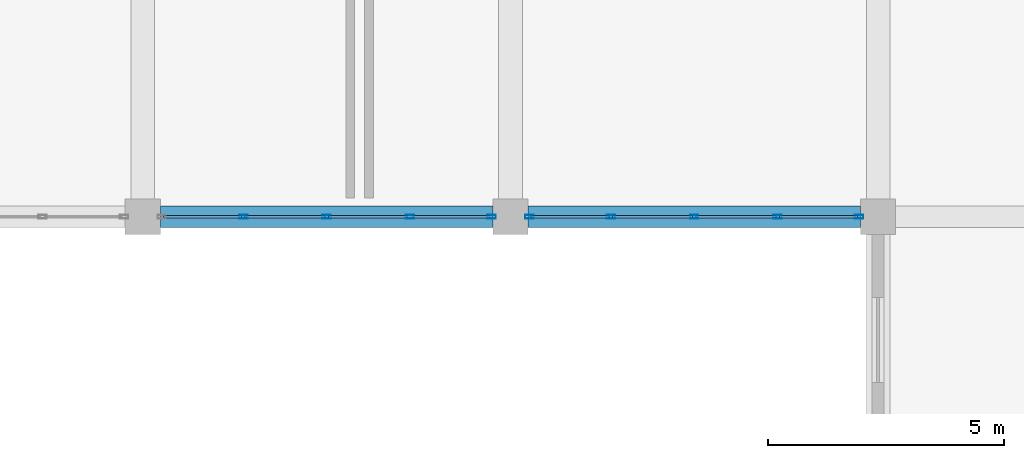
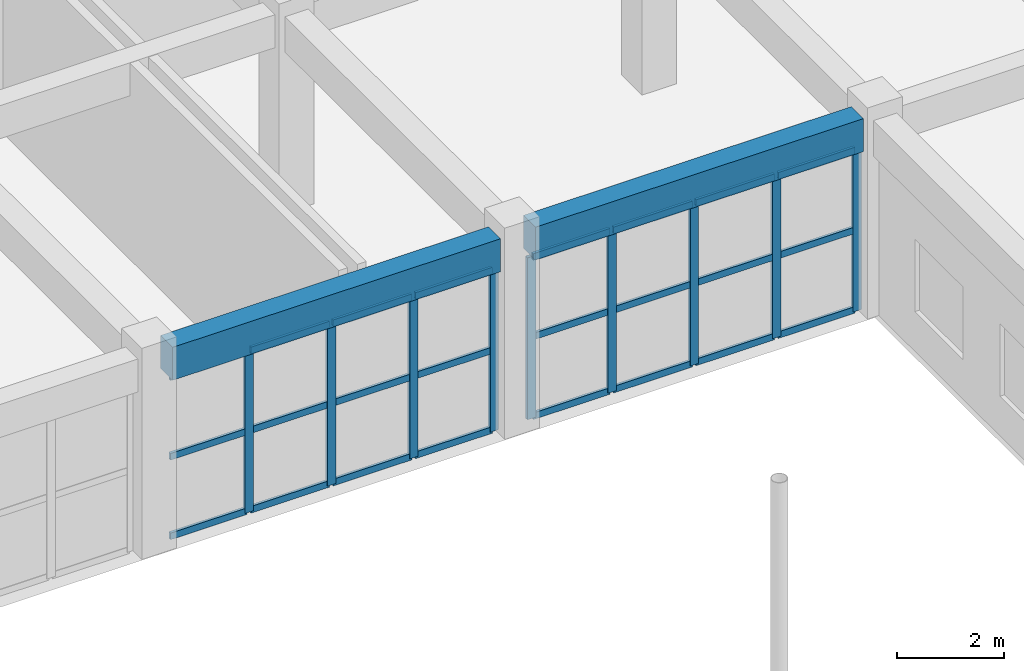
# One storey, part 85 of 175: 33 members, 2 beams, 2 elements without a shape of their own.
"""IFC4 building model written with IfcOpenShell, lengths in metres."""

from ifc_helpers import new_model, si_unit, direction, frame, origin, origin_2d, place, context, subcontext, project, spatial, rectangle, hollow_rectangle, extrude, material, layer, layer_set, material_profile, profile_set, type_object, element, aggregate, save


model = new_model("IFC4")

# Units and contexts
model_context = context("Model", 3, precision=1e-05, world=origin(), true_north=direction((0.0, 1.0)))
body_context = subcontext(model_context, "Body", "Model", "MODEL_VIEW")
ifc_project = project(units=[si_unit("LENGTHUNIT", "METRE"), si_unit("AREAUNIT", "SQUARE_METRE"), si_unit("VOLUMEUNIT", "CUBIC_METRE"), si_unit("PLANEANGLEUNIT", "RADIAN"), si_unit("MASSUNIT", "GRAM", prefix="KILO")], contexts=[model_context])

# Site, building, storey
site_placement = place(None, origin())
site = spatial("IfcSite", under=ifc_project, at=site_placement, CompositionType="ELEMENT")
building_placement = place(site_placement, origin())
building = spatial("IfcBuilding", under=site, at=building_placement, Name="Zizhar Promenade General Hospital", CompositionType="ELEMENT")
storey_placement = place(building_placement, frame((0.0, 0.0, 4.800048828125)))
storey = spatial("IfcBuildingStorey", under=building, at=storey_placement, Name="L01", CompositionType="ELEMENT", Elevation=4.800048828125)

# Beams
ifc_material_1 = material(Name="Concrete C35/45", Category="concrete")
ifc_material_profile_1 = material_profile(ifc_material_1, rectangle(XDim=0.449951171875, YDim=0.75, at=origin_2d()))
ifc_profile_set_1 = profile_set([ifc_material_profile_1], Name="Concrete C35/45")
beam_type = type_object("IfcBeamType", Name="BM-RC-450x750", PredefinedType="BEAM", material=ifc_profile_set_1)
for number, where, z_axis, x_axis, name in (
    (1, (109.574951171875, 92.39990234375, 4.094970703125), (1.0, 0.0, 0.0), (0.0, 1.0, 0.0), "Grid Beam X L01 (14-11)"),
    (2, (117.375, 92.39990234375, 4.094970703125), (1.0, 0.0, 0.0), (0.0, 1.0, 0.0), "Grid Beam X L01 (15-11)"),
):
    element("IfcBeam", number, at=place(storey_placement, frame(where, z_axis=z_axis, x_axis=x_axis)), inside=storey, type_object=beam_type, Name=name, PredefinedType="BEAM", context=body_context, shape_type="SweptSolid", body=[
        extrude(rectangle(XDim=0.449951171875, YDim=0.75, at=origin_2d()), origin(), (0.0, 0.0, 1.0), 7.050048828125),
    ])

# Curtain wall, members
ifc_material_2 = material(Name="Anodised aluminium 6063-T6 and low-E glass", Category="aluminium")
ifc_layer = layer(ifc_material_2, 0.159912109375)
ifc_layer_set = layer_set([ifc_layer], Name="Anodised aluminium 6063-T6 and low-E glass")
curtain_wall_type = type_object("IfcCurtainWallType", Name="CW-DT-MOD1", PredefinedType="NOTDEFINED", material=ifc_layer_set)
curtain_wall_1_placement = place(storey_placement, origin())
curtain_wall_1 = element("IfcCurtainWall", 3, at=curtain_wall_1_placement, inside=storey, type_object=curtain_wall_type, Name="Garden Court North Surgical Glazing L01-14", PredefinedType="NOTDEFINED")
ifc_material_3 = material(Name="Anodised aluminium 6063-T6", Category="aluminium")
ifc_material_profile_2 = material_profile(ifc_material_3, hollow_rectangle(XDim=0.080078125, YDim=0.179931640625, WallThickness=0.0048828125, at=origin_2d()))
ifc_profile_set_2 = profile_set([ifc_material_profile_2], Name="Anodised aluminium 6063-T6")
member_type_1 = type_object("IfcMemberType", Name="CWM-ALU-180x80", PredefinedType="MULLION", material=ifc_profile_set_2)
member_1_placement = place(storey_placement, frame((116.60009765625, 92.39990234375, 0.0), z_axis=(0.0, 0.0, 1.0), x_axis=(0.0, -1.0, 0.0)))
member_1 = element("IfcMember", 4, at=member_1_placement, type_object=member_type_1, Name="CW-07 mullion 1", PredefinedType="MULLION", context=body_context, shape_type="SweptSolid", body=[
    extrude(hollow_rectangle(XDim=0.080078125, YDim=0.179931640625, WallThickness=0.0048828125, at=origin_2d()), origin(), (0.0, 0.0, 1.0), 3.679931640625),
])
member_2_placement = place(storey_placement, frame((114.8701171875, 92.39990234375, 0.0), z_axis=(0.0, 0.0, 1.0), x_axis=(0.0, -1.0, 0.0)))
member_2 = element("IfcMember", 5, at=member_2_placement, type_object=member_type_1, Name="CW-07 mullion 2", PredefinedType="MULLION", context=body_context, shape_type="SweptSolid", body=[
    extrude(hollow_rectangle(XDim=0.080078125, YDim=0.179931640625, WallThickness=0.0048828125, at=origin_2d()), origin(), (0.0, 0.0, 1.0), 3.679931640625),
])
member_3_placement = place(storey_placement, frame((113.10009765625, 92.39990234375, 0.0), z_axis=(0.0, 0.0, 1.0), x_axis=(0.0, -1.0, 0.0)))
member_3 = element("IfcMember", 6, at=member_3_placement, type_object=member_type_1, Name="CW-07 mullion 3", PredefinedType="MULLION", context=body_context, shape_type="SweptSolid", body=[
    extrude(hollow_rectangle(XDim=0.080078125, YDim=0.179931640625, WallThickness=0.0048828125, at=origin_2d()), origin(), (0.0, 0.0, 1.0), 3.679931640625),
])
member_4_placement = place(storey_placement, frame((111.330078125, 92.39990234375, 0.0), z_axis=(0.0, 0.0, 1.0), x_axis=(0.0, -1.0, 0.0)))
member_4 = element("IfcMember", 7, at=member_4_placement, type_object=member_type_1, Name="CW-07 mullion 4", PredefinedType="MULLION", context=body_context, shape_type="SweptSolid", body=[
    extrude(hollow_rectangle(XDim=0.080078125, YDim=0.179931640625, WallThickness=0.0048828125, at=origin_2d()), origin(), (0.0, 0.0, 1.0), 3.679931640625),
])

curtain_wall_2_placement = place(storey_placement, origin())
curtain_wall_2 = element("IfcCurtainWall", 8, at=curtain_wall_2_placement, inside=storey, type_object=curtain_wall_type, Name="Garden Court North Surgical Glazing L01-15", PredefinedType="NOTDEFINED")
member_5_placement = place(storey_placement, frame((124.39990234375, 92.39990234375, 0.0), z_axis=(0.0, 0.0, 1.0), x_axis=(0.0, -1.0, 0.0)))
member_5 = element("IfcMember", 9, at=member_5_placement, type_object=member_type_1, Name="CW-07 mullion 1", PredefinedType="MULLION", context=body_context, shape_type="SweptSolid", body=[
    extrude(hollow_rectangle(XDim=0.080078125, YDim=0.179931640625, WallThickness=0.0048828125, at=origin_2d()), origin(), (0.0, 0.0, 1.0), 3.679931640625),
])
member_6_placement = place(storey_placement, frame((122.669921875, 92.39990234375, 0.0), z_axis=(0.0, 0.0, 1.0), x_axis=(0.0, -1.0, 0.0)))
member_6 = element("IfcMember", 10, at=member_6_placement, type_object=member_type_1, Name="CW-07 mullion 2", PredefinedType="MULLION", context=body_context, shape_type="SweptSolid", body=[
    extrude(hollow_rectangle(XDim=0.080078125, YDim=0.179931640625, WallThickness=0.0048828125, at=origin_2d()), origin(), (0.0, 0.0, 1.0), 3.679931640625),
])
member_7_placement = place(storey_placement, frame((120.89990234375, 92.39990234375, 0.0), z_axis=(0.0, 0.0, 1.0), x_axis=(0.0, -1.0, 0.0)))
member_7 = element("IfcMember", 11, at=member_7_placement, type_object=member_type_1, Name="CW-07 mullion 3", PredefinedType="MULLION", context=body_context, shape_type="SweptSolid", body=[
    extrude(hollow_rectangle(XDim=0.080078125, YDim=0.179931640625, WallThickness=0.0048828125, at=origin_2d()), origin(), (0.0, 0.0, 1.0), 3.679931640625),
])
member_8_placement = place(storey_placement, frame((119.1298828125, 92.39990234375, 0.0), z_axis=(0.0, 0.0, 1.0), x_axis=(0.0, -1.0, 0.0)))
member_8 = element("IfcMember", 12, at=member_8_placement, type_object=member_type_1, Name="CW-07 mullion 4", PredefinedType="MULLION", context=body_context, shape_type="SweptSolid", body=[
    extrude(hollow_rectangle(XDim=0.080078125, YDim=0.179931640625, WallThickness=0.0048828125, at=origin_2d()), origin(), (0.0, 0.0, 1.0), 3.679931640625),
])
member_9_placement = place(storey_placement, frame((117.39990234375, 92.39990234375, 0.0), z_axis=(0.0, 0.0, 1.0), x_axis=(0.0, -1.0, 0.0)))
member_9 = element("IfcMember", 13, at=member_9_placement, type_object=member_type_1, Name="CW-07 mullion 5", PredefinedType="MULLION", context=body_context, shape_type="SweptSolid", body=[
    extrude(hollow_rectangle(XDim=0.080078125, YDim=0.179931640625, WallThickness=0.0048828125, at=origin_2d()), origin(), (0.0, 0.0, 1.0), 3.679931640625),
])

# Member
ifc_material_4 = material(Name="Anodised aluminium 6063-T6", Category="aluminium")
ifc_material_profile_3 = material_profile(ifc_material_4, hollow_rectangle(XDim=0.06005859375, YDim=0.14990234375, WallThickness=0.00390625, at=origin_2d()))
ifc_profile_set_3 = profile_set([ifc_material_profile_3], Name="Anodised aluminium 6063-T6")
member_type_2 = type_object("IfcMemberType", Name="CWT-ALU-150x60", PredefinedType="USERDEFINED", material=ifc_profile_set_3)
member_10_placement = place(storey_placement, frame((116.56005859375, 92.39990234375, 0.030029296875), z_axis=(-1.0, 0.0, 0.0), x_axis=(0.0, -1.0, 0.0)))
member_10 = element("IfcMember", 14, at=member_10_placement, type_object=member_type_2, Name="CW-07 transom 1.1", ObjectType="TRANSOM", PredefinedType="USERDEFINED", context=body_context, shape_type="SweptSolid", body=[
    extrude(hollow_rectangle(XDim=0.06005859375, YDim=0.14990234375, WallThickness=0.00390625, at=origin_2d()), origin(), (0.0, 0.0, 1.0), 1.650146484375),
])

member_11_placement = place(storey_placement, frame((116.56005859375, 92.39990234375, 1.83984375), z_axis=(-1.0, 0.0, 0.0), x_axis=(0.0, -1.0, 0.0)))
member_11 = element("IfcMember", 15, at=member_11_placement, type_object=member_type_2, Name="CW-07 transom 1.2", ObjectType="TRANSOM", PredefinedType="USERDEFINED", context=body_context, shape_type="SweptSolid", body=[
    extrude(hollow_rectangle(XDim=0.06005859375, YDim=0.14990234375, WallThickness=0.00390625, at=origin_2d()), origin(), (0.0, 0.0, 1.0), 1.650146484375),
])

member_12_placement = place(storey_placement, frame((116.56005859375, 92.39990234375, 3.64990234375), z_axis=(-1.0, 0.0, 0.0), x_axis=(0.0, -1.0, 0.0)))
member_12 = element("IfcMember", 16, at=member_12_placement, type_object=member_type_2, Name="CW-07 transom 1.3", ObjectType="TRANSOM", PredefinedType="USERDEFINED", context=body_context, shape_type="SweptSolid", body=[
    extrude(hollow_rectangle(XDim=0.06005859375, YDim=0.14990234375, WallThickness=0.00390625, at=origin_2d()), origin(), (0.0, 0.0, 1.0), 1.650146484375),
])

member_13_placement = place(storey_placement, frame((114.830078125, 92.39990234375, 0.030029296875), z_axis=(-1.0, 0.0, 0.0), x_axis=(0.0, -1.0, 0.0)))
member_13 = element("IfcMember", 17, at=member_13_placement, type_object=member_type_2, Name="CW-07 transom 2.1", ObjectType="TRANSOM", PredefinedType="USERDEFINED", context=body_context, shape_type="SweptSolid", body=[
    extrude(hollow_rectangle(XDim=0.06005859375, YDim=0.14990234375, WallThickness=0.00390625, at=origin_2d()), origin(), (0.0, 0.0, 1.0), 1.690185546875),
])

member_14_placement = place(storey_placement, frame((114.830078125, 92.39990234375, 1.83984375), z_axis=(-1.0, 0.0, 0.0), x_axis=(0.0, -1.0, 0.0)))
member_14 = element("IfcMember", 18, at=member_14_placement, type_object=member_type_2, Name="CW-07 transom 2.2", ObjectType="TRANSOM", PredefinedType="USERDEFINED", context=body_context, shape_type="SweptSolid", body=[
    extrude(hollow_rectangle(XDim=0.06005859375, YDim=0.14990234375, WallThickness=0.00390625, at=origin_2d()), origin(), (0.0, 0.0, 1.0), 1.690185546875),
])

member_15_placement = place(storey_placement, frame((114.830078125, 92.39990234375, 3.64990234375), z_axis=(-1.0, 0.0, 0.0), x_axis=(0.0, -1.0, 0.0)))
member_15 = element("IfcMember", 19, at=member_15_placement, type_object=member_type_2, Name="CW-07 transom 2.3", ObjectType="TRANSOM", PredefinedType="USERDEFINED", context=body_context, shape_type="SweptSolid", body=[
    extrude(hollow_rectangle(XDim=0.06005859375, YDim=0.14990234375, WallThickness=0.00390625, at=origin_2d()), origin(), (0.0, 0.0, 1.0), 1.690185546875),
])

member_16_placement = place(storey_placement, frame((113.06005859375, 92.39990234375, 0.030029296875), z_axis=(-1.0, 0.0, 0.0), x_axis=(0.0, -1.0, 0.0)))
member_16 = element("IfcMember", 20, at=member_16_placement, type_object=member_type_2, Name="CW-07 transom 3.1", ObjectType="TRANSOM", PredefinedType="USERDEFINED", context=body_context, shape_type="SweptSolid", body=[
    extrude(hollow_rectangle(XDim=0.06005859375, YDim=0.14990234375, WallThickness=0.00390625, at=origin_2d()), origin(), (0.0, 0.0, 1.0), 1.68994140625),
])

member_17_placement = place(storey_placement, frame((113.06005859375, 92.39990234375, 1.83984375), z_axis=(-1.0, 0.0, 0.0), x_axis=(0.0, -1.0, 0.0)))
member_17 = element("IfcMember", 21, at=member_17_placement, type_object=member_type_2, Name="CW-07 transom 3.2", ObjectType="TRANSOM", PredefinedType="USERDEFINED", context=body_context, shape_type="SweptSolid", body=[
    extrude(hollow_rectangle(XDim=0.06005859375, YDim=0.14990234375, WallThickness=0.00390625, at=origin_2d()), origin(), (0.0, 0.0, 1.0), 1.68994140625),
])

member_18_placement = place(storey_placement, frame((113.06005859375, 92.39990234375, 3.64990234375), z_axis=(-1.0, 0.0, 0.0), x_axis=(0.0, -1.0, 0.0)))
member_18 = element("IfcMember", 22, at=member_18_placement, type_object=member_type_2, Name="CW-07 transom 3.3", ObjectType="TRANSOM", PredefinedType="USERDEFINED", context=body_context, shape_type="SweptSolid", body=[
    extrude(hollow_rectangle(XDim=0.06005859375, YDim=0.14990234375, WallThickness=0.00390625, at=origin_2d()), origin(), (0.0, 0.0, 1.0), 1.68994140625),
])

member_19_placement = place(storey_placement, frame((111.2900390625, 92.39990234375, 0.030029296875), z_axis=(-1.0, 0.0, 0.0), x_axis=(0.0, -1.0, 0.0)))
member_19 = element("IfcMember", 23, at=member_19_placement, type_object=member_type_2, Name="CW-07 transom 4.1", ObjectType="TRANSOM", PredefinedType="USERDEFINED", context=body_context, shape_type="SweptSolid", body=[
    extrude(hollow_rectangle(XDim=0.06005859375, YDim=0.14990234375, WallThickness=0.00390625, at=origin_2d()), origin(), (0.0, 0.0, 1.0), 1.650146484375),
])

member_20_placement = place(storey_placement, frame((111.2900390625, 92.39990234375, 1.83984375), z_axis=(-1.0, 0.0, 0.0), x_axis=(0.0, -1.0, 0.0)))
member_20 = element("IfcMember", 24, at=member_20_placement, type_object=member_type_2, Name="CW-07 transom 4.2", ObjectType="TRANSOM", PredefinedType="USERDEFINED", context=body_context, shape_type="SweptSolid", body=[
    extrude(hollow_rectangle(XDim=0.06005859375, YDim=0.14990234375, WallThickness=0.00390625, at=origin_2d()), origin(), (0.0, 0.0, 1.0), 1.650146484375),
])

member_21_placement = place(storey_placement, frame((111.2900390625, 92.39990234375, 3.64990234375), z_axis=(-1.0, 0.0, 0.0), x_axis=(0.0, -1.0, 0.0)))
member_21 = element("IfcMember", 25, at=member_21_placement, type_object=member_type_2, Name="CW-07 transom 4.3", ObjectType="TRANSOM", PredefinedType="USERDEFINED", context=body_context, shape_type="SweptSolid", body=[
    extrude(hollow_rectangle(XDim=0.06005859375, YDim=0.14990234375, WallThickness=0.00390625, at=origin_2d()), origin(), (0.0, 0.0, 1.0), 1.650146484375),
])

aggregate(curtain_wall_1, [member_1, member_2, member_3, member_4, member_10, member_11, member_12, member_13, member_14, member_15, member_16, member_17, member_18, member_19, member_20, member_21])

member_22_placement = place(storey_placement, frame((124.360107421875, 92.39990234375, 0.030029296875), z_axis=(-1.0, 0.0, 0.0), x_axis=(0.0, -1.0, 0.0)))
member_22 = element("IfcMember", 26, at=member_22_placement, type_object=member_type_2, Name="CW-07 transom 1.1", ObjectType="TRANSOM", PredefinedType="USERDEFINED", context=body_context, shape_type="SweptSolid", body=[
    extrude(hollow_rectangle(XDim=0.06005859375, YDim=0.14990234375, WallThickness=0.00390625, at=origin_2d()), origin(), (0.0, 0.0, 1.0), 1.650146484375),
])

member_23_placement = place(storey_placement, frame((124.360107421875, 92.39990234375, 1.83984375), z_axis=(-1.0, 0.0, 0.0), x_axis=(0.0, -1.0, 0.0)))
member_23 = element("IfcMember", 27, at=member_23_placement, type_object=member_type_2, Name="CW-07 transom 1.2", ObjectType="TRANSOM", PredefinedType="USERDEFINED", context=body_context, shape_type="SweptSolid", body=[
    extrude(hollow_rectangle(XDim=0.06005859375, YDim=0.14990234375, WallThickness=0.00390625, at=origin_2d()), origin(), (0.0, 0.0, 1.0), 1.650146484375),
])

member_24_placement = place(storey_placement, frame((124.360107421875, 92.39990234375, 3.64990234375), z_axis=(-1.0, 0.0, 0.0), x_axis=(0.0, -1.0, 0.0)))
member_24 = element("IfcMember", 28, at=member_24_placement, type_object=member_type_2, Name="CW-07 transom 1.3", ObjectType="TRANSOM", PredefinedType="USERDEFINED", context=body_context, shape_type="SweptSolid", body=[
    extrude(hollow_rectangle(XDim=0.06005859375, YDim=0.14990234375, WallThickness=0.00390625, at=origin_2d()), origin(), (0.0, 0.0, 1.0), 1.650146484375),
])

member_25_placement = place(storey_placement, frame((122.6298828125, 92.39990234375, 0.030029296875), z_axis=(-1.0, 0.0, 0.0), x_axis=(0.0, -1.0, 0.0)))
member_25 = element("IfcMember", 29, at=member_25_placement, type_object=member_type_2, Name="CW-07 transom 2.1", ObjectType="TRANSOM", PredefinedType="USERDEFINED", context=body_context, shape_type="SweptSolid", body=[
    extrude(hollow_rectangle(XDim=0.06005859375, YDim=0.14990234375, WallThickness=0.00390625, at=origin_2d()), origin(), (0.0, 0.0, 1.0), 1.68994140625),
])

member_26_placement = place(storey_placement, frame((122.6298828125, 92.39990234375, 1.83984375), z_axis=(-1.0, 0.0, 0.0), x_axis=(0.0, -1.0, 0.0)))
member_26 = element("IfcMember", 30, at=member_26_placement, type_object=member_type_2, Name="CW-07 transom 2.2", ObjectType="TRANSOM", PredefinedType="USERDEFINED", context=body_context, shape_type="SweptSolid", body=[
    extrude(hollow_rectangle(XDim=0.06005859375, YDim=0.14990234375, WallThickness=0.00390625, at=origin_2d()), origin(), (0.0, 0.0, 1.0), 1.68994140625),
])

member_27_placement = place(storey_placement, frame((122.6298828125, 92.39990234375, 3.64990234375), z_axis=(-1.0, 0.0, 0.0), x_axis=(0.0, -1.0, 0.0)))
member_27 = element("IfcMember", 31, at=member_27_placement, type_object=member_type_2, Name="CW-07 transom 2.3", ObjectType="TRANSOM", PredefinedType="USERDEFINED", context=body_context, shape_type="SweptSolid", body=[
    extrude(hollow_rectangle(XDim=0.06005859375, YDim=0.14990234375, WallThickness=0.00390625, at=origin_2d()), origin(), (0.0, 0.0, 1.0), 1.68994140625),
])

member_28_placement = place(storey_placement, frame((120.860107421875, 92.39990234375, 0.030029296875), z_axis=(-1.0, 0.0, 0.0), x_axis=(0.0, -1.0, 0.0)))
member_28 = element("IfcMember", 32, at=member_28_placement, type_object=member_type_2, Name="CW-07 transom 3.1", ObjectType="TRANSOM", PredefinedType="USERDEFINED", context=body_context, shape_type="SweptSolid", body=[
    extrude(hollow_rectangle(XDim=0.06005859375, YDim=0.14990234375, WallThickness=0.00390625, at=origin_2d()), origin(), (0.0, 0.0, 1.0), 1.690185546875),
])

member_29_placement = place(storey_placement, frame((120.860107421875, 92.39990234375, 1.83984375), z_axis=(-1.0, 0.0, 0.0), x_axis=(0.0, -1.0, 0.0)))
member_29 = element("IfcMember", 33, at=member_29_placement, type_object=member_type_2, Name="CW-07 transom 3.2", ObjectType="TRANSOM", PredefinedType="USERDEFINED", context=body_context, shape_type="SweptSolid", body=[
    extrude(hollow_rectangle(XDim=0.06005859375, YDim=0.14990234375, WallThickness=0.00390625, at=origin_2d()), origin(), (0.0, 0.0, 1.0), 1.690185546875),
])

member_30_placement = place(storey_placement, frame((120.860107421875, 92.39990234375, 3.64990234375), z_axis=(-1.0, 0.0, 0.0), x_axis=(0.0, -1.0, 0.0)))
member_30 = element("IfcMember", 34, at=member_30_placement, type_object=member_type_2, Name="CW-07 transom 3.3", ObjectType="TRANSOM", PredefinedType="USERDEFINED", context=body_context, shape_type="SweptSolid", body=[
    extrude(hollow_rectangle(XDim=0.06005859375, YDim=0.14990234375, WallThickness=0.00390625, at=origin_2d()), origin(), (0.0, 0.0, 1.0), 1.690185546875),
])

member_31_placement = place(storey_placement, frame((119.090087890625, 92.39990234375, 0.030029296875), z_axis=(-1.0, 0.0, 0.0), x_axis=(0.0, -1.0, 0.0)))
member_31 = element("IfcMember", 35, at=member_31_placement, type_object=member_type_2, Name="CW-07 transom 4.1", ObjectType="TRANSOM", PredefinedType="USERDEFINED", context=body_context, shape_type="SweptSolid", body=[
    extrude(hollow_rectangle(XDim=0.06005859375, YDim=0.14990234375, WallThickness=0.00390625, at=origin_2d()), origin(), (0.0, 0.0, 1.0), 1.650146484375),
])

member_32_placement = place(storey_placement, frame((119.090087890625, 92.39990234375, 1.83984375), z_axis=(-1.0, 0.0, 0.0), x_axis=(0.0, -1.0, 0.0)))
member_32 = element("IfcMember", 36, at=member_32_placement, type_object=member_type_2, Name="CW-07 transom 4.2", ObjectType="TRANSOM", PredefinedType="USERDEFINED", context=body_context, shape_type="SweptSolid", body=[
    extrude(hollow_rectangle(XDim=0.06005859375, YDim=0.14990234375, WallThickness=0.00390625, at=origin_2d()), origin(), (0.0, 0.0, 1.0), 1.650146484375),
])

member_33_placement = place(storey_placement, frame((119.090087890625, 92.39990234375, 3.64990234375), z_axis=(-1.0, 0.0, 0.0), x_axis=(0.0, -1.0, 0.0)))
member_33 = element("IfcMember", 37, at=member_33_placement, type_object=member_type_2, Name="CW-07 transom 4.3", ObjectType="TRANSOM", PredefinedType="USERDEFINED", context=body_context, shape_type="SweptSolid", body=[
    extrude(hollow_rectangle(XDim=0.06005859375, YDim=0.14990234375, WallThickness=0.00390625, at=origin_2d()), origin(), (0.0, 0.0, 1.0), 1.650146484375),
])

aggregate(curtain_wall_2, [member_5, member_6, member_7, member_8, member_9, member_22, member_23, member_24, member_25, member_26, member_27, member_28, member_29, member_30, member_31, member_32, member_33])

save(model, "model.ifc")
